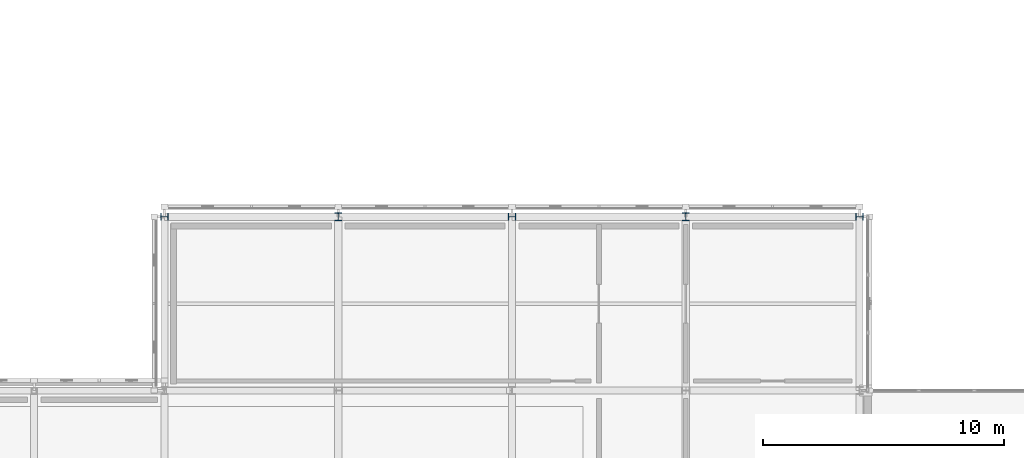
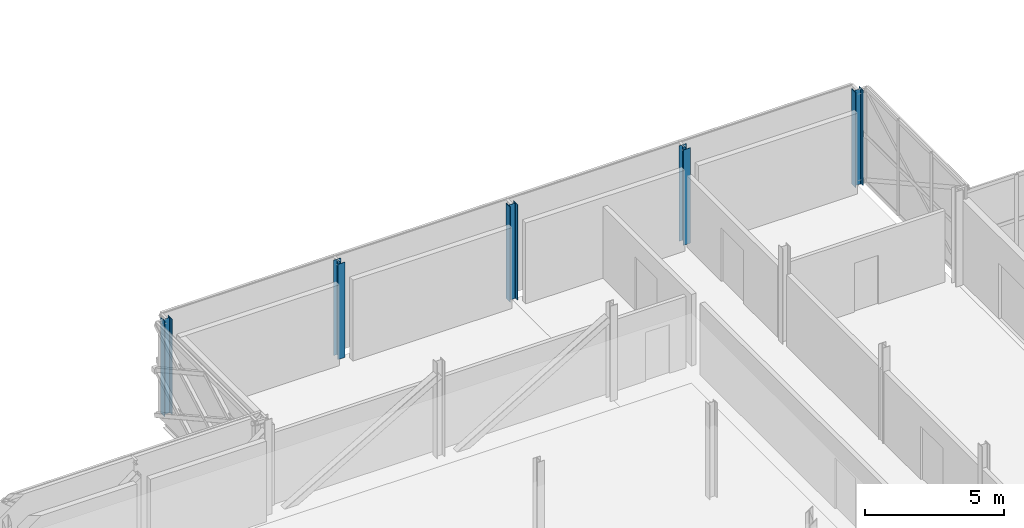
# One storey, part 10 of 126: 5 columns.
"""IFC4 building model written with IfcOpenShell, lengths in metres."""

from ifc_helpers import new_model, si_unit, direction, frame, origin, origin_2d, place, context, subcontext, project, spatial, i_section, extrude, material, material_profile, profile_set, type_object, element, save


model = new_model("IFC4")

# Units and contexts
model_context = context("Model", 3, precision=1e-05, world=origin(), true_north=direction((0.0, 1.0)))
body_context = subcontext(model_context, "Body", "Model", "MODEL_VIEW")
ifc_project = project(units=[si_unit("LENGTHUNIT", "METRE"), si_unit("AREAUNIT", "SQUARE_METRE"), si_unit("VOLUMEUNIT", "CUBIC_METRE"), si_unit("PLANEANGLEUNIT", "RADIAN"), si_unit("MASSUNIT", "GRAM", prefix="KILO")], contexts=[model_context])

# Site, building, storey
site_placement = place(None, origin())
site = spatial("IfcSite", under=ifc_project, at=site_placement, CompositionType="ELEMENT")
building_placement = place(site_placement, origin())
building = spatial("IfcBuilding", under=site, at=building_placement, Name="Zlatovets Crest Museum", CompositionType="ELEMENT")
storey_placement = place(building_placement, frame((0.0, 0.0, 8.699951171875)))
storey = spatial("IfcBuildingStorey", under=building, at=storey_placement, Name="L02", CompositionType="ELEMENT", Elevation=8.699951171875)

# Columns
ifc_material = material(Name="Structural steel S355J2", Category="steel")
ifc_material_profile = material_profile(ifc_material, i_section(OverallWidth=0.300048828125, OverallDepth=0.320068359375, WebThickness=0.011474609375, FlangeThickness=0.0205078125, FilletRadius=0.027099609375, at=origin_2d()), Name="HEB 320")
ifc_profile_set = profile_set([ifc_material_profile], Name="Structural steel S355J2")
column_type = type_object("IfcColumnType", Name="Col_C-16", PredefinedType="COLUMN", material=ifc_profile_set)
for number, where, z_axis, x_axis, name in (
    (1, (7.199951171875, 100.800048828125, 0.0), (0.0, 0.0, 1.0), (0.0, 1.0, 0.0), "V4 L02 Column (7.2, 100.8)"),
    (2, (14.39990234375, 100.800048828125, 0.0), (0.0, 0.0, 1.0), (1.0, 0.0, 0.0), "V4 L02 Column (14.4, 100.8)"),
    (3, (21.60009765625, 100.800048828125, 0.0), (0.0, 0.0, 1.0), (0.0, 1.0, 0.0), "V4 L02 Column (21.6, 100.8)"),
    (4, (28.800048828125, 100.800048828125, 0.0), (0.0, 0.0, 1.0), (1.0, 0.0, 0.0), "V4 L02 Column (28.8, 100.8)"),
    (5, (36.0, 100.800048828125, 0.0), (0.0, 0.0, 1.0), (0.0, 1.0, 0.0), "V4 L02 Column (36.0, 100.8)"),
):
    element("IfcColumn", number, at=place(storey_placement, frame(where, z_axis=z_axis, x_axis=x_axis)), inside=storey, type_object=column_type, Name=name, PredefinedType="COLUMN", context=body_context, shape_type="SweptSolid", body=[
        extrude(i_section(OverallWidth=0.300048828125, OverallDepth=0.320068359375, WebThickness=0.011474609375, FlangeThickness=0.0205078125, FilletRadius=0.027099609375, at=origin_2d()), origin(), (0.0, 0.0, 1.0), 4.199951171875),
    ])

save(model, "model.ifc")
